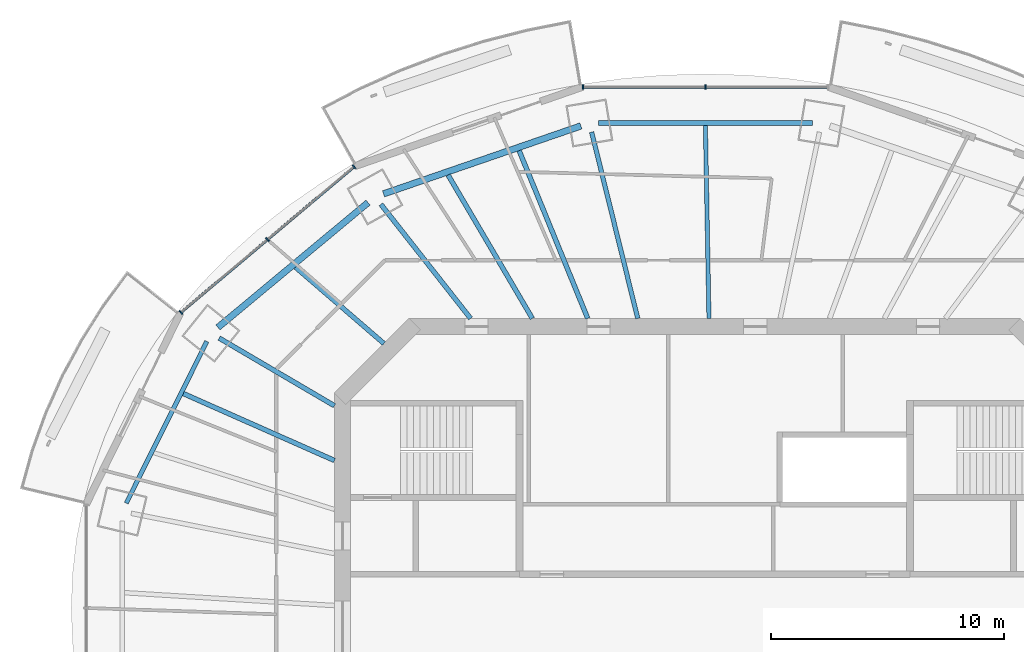
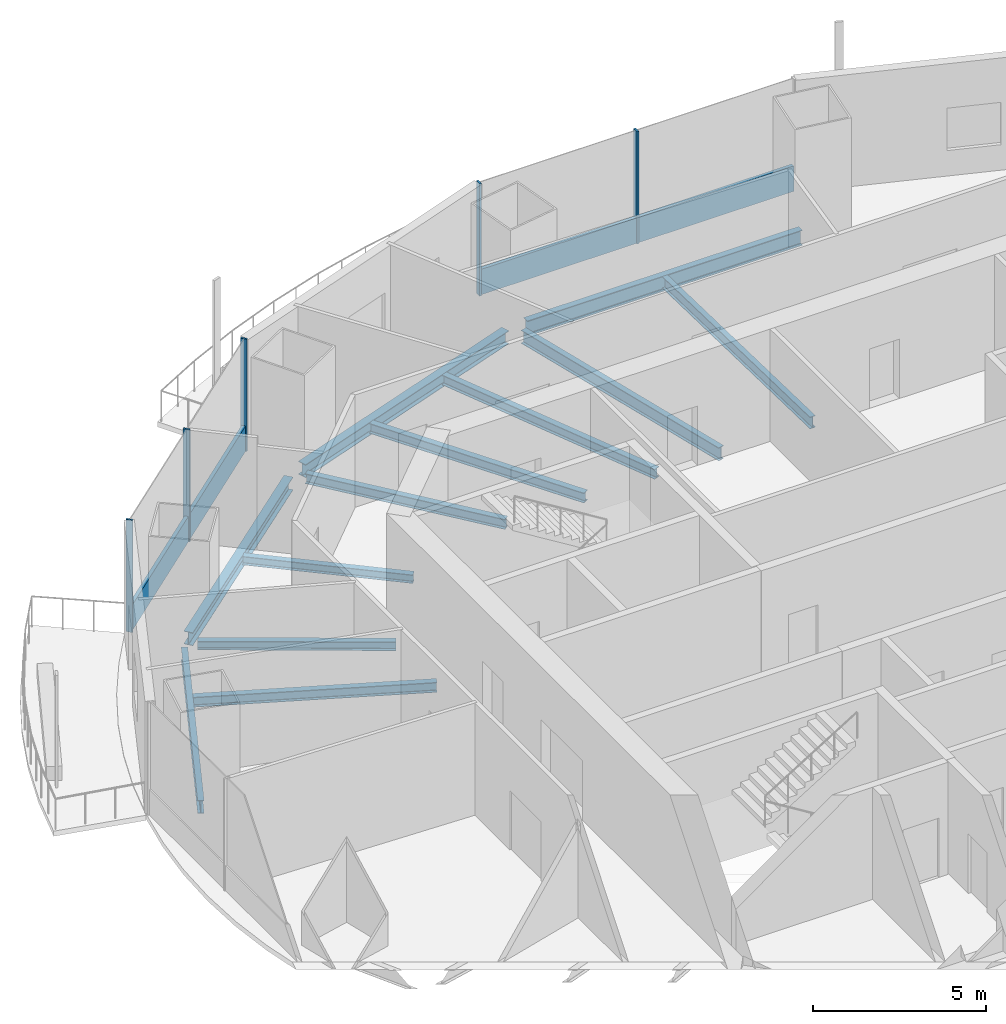
# One storey, part 5 of 16: 12 beams, 7 members, 2 elements without a shape of their own.
"""IFC4 building model written with IfcOpenShell, lengths in metres."""

from ifc_helpers import new_model, si_unit, direction, frame, origin, origin_2d, place, context, subcontext, project, spatial, rectangle, i_section, extrude, material, material_profile, profile_set, type_object, element, aggregate, save


model = new_model("IFC4")

# Units and contexts
model_context = context("Model", 3, precision=1e-05, world=origin(), true_north=direction((0.0, 1.0)))
body_context = subcontext(model_context, "Body", "Model", "MODEL_VIEW")
ifc_project = project(units=[si_unit("LENGTHUNIT", "METRE"), si_unit("AREAUNIT", "SQUARE_METRE"), si_unit("VOLUMEUNIT", "CUBIC_METRE"), si_unit("PLANEANGLEUNIT", "RADIAN"), si_unit("MASSUNIT", "GRAM", prefix="KILO")], contexts=[model_context])

# Site, building, storey
site_placement = place(None, origin())
site = spatial("IfcSite", under=ifc_project, at=site_placement, CompositionType="ELEMENT")
building_placement = place(site_placement, origin())
building = spatial("IfcBuilding", under=site, at=building_placement, Name="Marenthal Gate Tower", CompositionType="ELEMENT")
storey_placement = place(building_placement, frame((0.0, 0.0, 342.60009765625)))
storey = spatial("IfcBuildingStorey", under=building, at=storey_placement, Name="L77", CompositionType="ELEMENT", Elevation=342.60009765625)

# Curtain wall, members
ifc_material_1 = material(Name="Aluminium and glass", Category="aluminium")
curtain_wall_type = type_object("IfcCurtainWallType", Name="Curtain wall typical high", PredefinedType="NOTDEFINED", material=ifc_material_1)
curtain_wall_1_placement = place(storey_placement, origin())
curtain_wall_1 = element("IfcCurtainWall", 1, at=curtain_wall_1_placement, inside=storey, type_object=curtain_wall_type, Name="Curtain wall L77 bay 4", PredefinedType="NOTDEFINED")
ifc_material_2 = material(Name="Aluminium", Category="aluminium")
ifc_material_profile_1 = material_profile(ifc_material_2, rectangle(XDim=0.199951171875, YDim=0.06005859375, at=origin_2d()), Name="60x200 aluminium mullion")
ifc_profile_set_1 = profile_set([ifc_material_profile_1], Name="Aluminium")
member_type_1 = type_object("IfcMemberType", Name="Mullion 60x200 typical high", PredefinedType="MULLION", material=ifc_profile_set_1)
member_1_placement = place(storey_placement, frame((-0.39990234375, 23.302978515625, 0.0), z_axis=(0.0, 0.0, 1.0), x_axis=(0.0, -1.0, 0.0)))
member_1 = element("IfcMember", 2, at=member_1_placement, type_object=member_type_1, Name="Mullion L77 bay 4.2", PredefinedType="MULLION", context=body_context, shape_type="SweptSolid", body=[
    extrude(rectangle(XDim=0.199951171875, YDim=0.06005859375, at=origin_2d()), origin(), (0.0, 0.0, 1.0), 3.969970703125),
])
member_2_placement = place(storey_placement, frame((-5.66650390625, 23.302978515625, 0.0), z_axis=(0.0, 0.0, 1.0), x_axis=(0.0, -1.0, 0.0)))
member_2 = element("IfcMember", 3, at=member_2_placement, type_object=member_type_1, Name="Mullion L77 bay 4.3", PredefinedType="MULLION", context=body_context, shape_type="SweptSolid", body=[
    extrude(rectangle(XDim=0.199951171875, YDim=0.06005859375, at=origin_2d()), origin(), (0.0, 0.0, 1.0), 3.969970703125),
])

curtain_wall_2_placement = place(storey_placement, origin())
curtain_wall_2 = element("IfcCurtainWall", 4, at=curtain_wall_2_placement, inside=storey, type_object=curtain_wall_type, Name="Curtain wall L77 bay 6", PredefinedType="NOTDEFINED")
member_3_placement = place(storey_placement, frame((-15.506103515625, 19.873046875, 0.0), z_axis=(0.0, 0.0, 1.0), x_axis=(0.643800653639, -0.765193255572, 0.0)))
member_3 = element("IfcMember", 5, at=member_3_placement, type_object=member_type_1, Name="Mullion L77 bay 6.1", PredefinedType="MULLION", context=body_context, shape_type="SweptSolid", body=[
    extrude(rectangle(XDim=0.199951171875, YDim=0.06005859375, at=origin_2d()), origin(), (0.0, 0.0, 1.0), 3.969970703125),
])
member_4_placement = place(storey_placement, frame((-19.228271484375, 16.741455078125, 0.0), z_axis=(0.0, 0.0, 1.0), x_axis=(0.643800653639, -0.765193255572, 0.0)))
member_4 = element("IfcMember", 6, at=member_4_placement, type_object=member_type_1, Name="Mullion L77 bay 6.2", PredefinedType="MULLION", context=body_context, shape_type="SweptSolid", body=[
    extrude(rectangle(XDim=0.199951171875, YDim=0.06005859375, at=origin_2d()), origin(), (0.0, 0.0, 1.0), 3.969970703125),
])
member_5_placement = place(storey_placement, frame((-22.95068359375, 13.609619140625, 0.0), z_axis=(0.0, 0.0, 1.0), x_axis=(0.643800653639, -0.765193255572, 0.0)))
member_5 = element("IfcMember", 7, at=member_5_placement, type_object=member_type_1, Name="Mullion L77 bay 6.3", PredefinedType="MULLION", context=body_context, shape_type="SweptSolid", body=[
    extrude(rectangle(XDim=0.199951171875, YDim=0.06005859375, at=origin_2d()), origin(), (0.0, 0.0, 1.0), 3.969970703125),
])

# Member
ifc_material_3 = material(Name="Aluminium", Category="aluminium")
ifc_material_profile_2 = material_profile(ifc_material_3, rectangle(XDim=0.1201171875, YDim=0.89990234375, at=origin_2d()), Name="120x900 aluminium transom")
ifc_profile_set_2 = profile_set([ifc_material_profile_2], Name="Aluminium")
member_type_2 = type_object("IfcMemberType", Name="Transom 120x900 typical high", PredefinedType="USERDEFINED", material=ifc_profile_set_2)
member_6_placement = place(storey_placement, frame((4.83642578125, 23.302978515625, 0.449951171875), z_axis=(-1.0, 0.0, 0.0), x_axis=(0.0, -1.0, 0.0)))
member_6 = element("IfcMember", 8, at=member_6_placement, type_object=member_type_2, Name="Transom L77 bay 4", ObjectType="TRANSOM", PredefinedType="USERDEFINED", context=body_context, shape_type="SweptSolid", body=[
    extrude(rectangle(XDim=0.1201171875, YDim=0.89990234375, at=origin_2d()), origin(), (0.0, 0.0, 1.0), 10.472900390625),
])

aggregate(curtain_wall_1, [member_1, member_2, member_6])

member_7_placement = place(storey_placement, frame((-15.529052734375, 19.853759765625, 0.449951171875), z_axis=(-0.765197260539, -0.643795893482, 0.0), x_axis=(0.643795893482, -0.765197260539, 0.0)))
member_7 = element("IfcMember", 9, at=member_7_placement, type_object=member_type_2, Name="Transom L77 bay 6", ObjectType="TRANSOM", PredefinedType="USERDEFINED", context=body_context, shape_type="SweptSolid", body=[
    extrude(rectangle(XDim=0.1201171875, YDim=0.89990234375, at=origin_2d()), origin(), (0.0, 0.0, 1.0), 9.6689453125),
])

aggregate(curtain_wall_2, [member_3, member_4, member_5, member_7])

# Beams
ifc_material_4 = material(Name="Steel S355", Category="steel")
ifc_material_profile_3 = material_profile(ifc_material_4, i_section(OverallWidth=0.202880859375, OverallDepth=0.302001953125, WebThickness=0.007568359375, FlangeThickness=0.01318359375, FilletRadius=0.0126953125, at=origin_2d()), Name="W310X60")
ifc_profile_set_3 = profile_set([ifc_material_profile_3], Name="Steel S355")
beam_type_1 = type_object("IfcBeamType", Name="W310X60 beam", PredefinedType="BEAM", material=ifc_profile_set_3)
beam_1_placement = place(storey_placement, frame((-18.025390625, 15.55322265625, -0.3310546875), z_axis=(0.757114770314, -0.653281887528, 0.0), x_axis=(0.653281887528, 0.757114770314, 0.0)))
element("IfcBeam", 10, at=beam_1_placement, inside=storey, type_object=beam_type_1, Name="BM-L77-25", PredefinedType="BEAM", context=body_context, shape_type="SweptSolid", body=[
    extrude(i_section(OverallWidth=0.202880859375, OverallDepth=0.302001953125, WebThickness=0.007568359375, FlangeThickness=0.01318359375, FilletRadius=0.0126953125, at=origin_2d()), origin(), (0.0, 0.0, 1.0), 5.0224609375),
])
ifc_material_5 = material(Name="Steel S355", Category="steel")
ifc_material_profile_4 = material_profile(ifc_material_5, i_section(OverallWidth=0.205078125, OverallDepth=0.31005859375, WebThickness=0.009521484375, FlangeThickness=0.016357421875, FilletRadius=0.0126953125, at=origin_2d()), Name="W310X74")
ifc_profile_set_4 = profile_set([ifc_material_profile_4], Name="Steel S355")
beam_type_2 = type_object("IfcBeamType", Name="W310X74 beam", PredefinedType="BEAM", material=ifc_profile_set_4)
beam_2_placement = place(storey_placement, frame((-21.306396484375, 12.505126953125, -0.335205078125), z_axis=(0.862430700738, -0.506175153899, 0.0), x_axis=(0.506175153899, 0.862430700738, 0.0)))
element("IfcBeam", 11, at=beam_2_placement, inside=storey, type_object=beam_type_2, Name="BM-L77-07", PredefinedType="BEAM", context=body_context, shape_type="SweptSolid", body=[
    extrude(i_section(OverallWidth=0.205078125, OverallDepth=0.31005859375, WebThickness=0.009521484375, FlangeThickness=0.016357421875, FilletRadius=0.0126953125, at=origin_2d()), origin(), (0.0, 0.0, 1.0), 5.746826171875),
])
ifc_material_6 = material(Name="Steel S355", Category="steel")
ifc_material_profile_5 = material_profile(ifc_material_6, i_section(OverallWidth=0.205078125, OverallDepth=0.35302734375, WebThickness=0.009521484375, FlangeThickness=0.016845703125, FilletRadius=0.014892578125, at=origin_2d()), Name="W360X79")
ifc_profile_set_5 = profile_set([ifc_material_profile_5], Name="Steel S355")
beam_type_3 = type_object("IfcBeamType", Name="W360X79 beam", PredefinedType="BEAM", material=ifc_profile_set_5)
beam_3_placement = place(storey_placement, frame((-14.35107421875, 18.255126953125, -0.356689453125), z_axis=(0.618044451996, -0.78614315195, 0.0), x_axis=(0.78614315195, 0.618044451996, 0.0)))
element("IfcBeam", 12, at=beam_3_placement, inside=storey, type_object=beam_type_3, Name="BM-L77-06", PredefinedType="BEAM", context=body_context, shape_type="SweptSolid", body=[
    extrude(i_section(OverallWidth=0.205078125, OverallDepth=0.35302734375, WebThickness=0.009521484375, FlangeThickness=0.016845703125, FilletRadius=0.014892578125, at=origin_2d()), origin(), (0.0, 0.0, 1.0), 6.2392578125),
])
beam_4_placement = place(storey_placement, frame((-8.40771484375, 20.56591796875, -0.356689453125), z_axis=(0.378415770865, -0.925635729842, 0.0), x_axis=(0.925635729842, 0.378415770865, 0.0)))
element("IfcBeam", 13, at=beam_4_placement, inside=storey, type_object=beam_type_3, Name="BM-L77-23", PredefinedType="BEAM", context=body_context, shape_type="SweptSolid", body=[
    extrude(i_section(OverallWidth=0.205078125, OverallDepth=0.35302734375, WebThickness=0.009521484375, FlangeThickness=0.016845703125, FilletRadius=0.014892578125, at=origin_2d()), origin(), (0.0, 0.0, 1.0), 7.79541015625),
])
beam_5_placement = place(storey_placement, frame((-11.4609375, 19.514404296875, -0.356689453125), z_axis=(0.506427497375, -0.862282546444, 0.0), x_axis=(0.862282546444, 0.506427497375, 0.0)))
element("IfcBeam", 14, at=beam_5_placement, inside=storey, type_object=beam_type_3, Name="BM-L77-24", PredefinedType="BEAM", context=body_context, shape_type="SweptSolid", body=[
    extrude(i_section(OverallWidth=0.205078125, OverallDepth=0.35302734375, WebThickness=0.009521484375, FlangeThickness=0.016845703125, FilletRadius=0.014892578125, at=origin_2d()), origin(), (0.0, 0.0, 1.0), 7.14892578125),
])
beam_6_placement = place(storey_placement, frame((-22.844970703125, 10.118896484375, -0.356689453125), z_axis=(0.914328119374, -0.404974184513, 0.0), x_axis=(0.404974184513, 0.914328119374, 0.0)))
element("IfcBeam", 15, at=beam_6_placement, inside=storey, type_object=beam_type_3, Name="BM-L77-26", PredefinedType="BEAM", context=body_context, shape_type="SweptSolid", body=[
    extrude(i_section(OverallWidth=0.205078125, OverallDepth=0.35302734375, WebThickness=0.009521484375, FlangeThickness=0.016845703125, FilletRadius=0.014892578125, at=origin_2d()), origin(), (0.0, 0.0, 1.0), 7.103515625),
])
ifc_material_7 = material(Name="Steel S355", Category="steel")
ifc_material_profile_6 = material_profile(ifc_material_7, i_section(OverallWidth=0.180908203125, OverallDepth=0.4169921875, WebThickness=0.010986328125, FlangeThickness=0.018310546875, FilletRadius=0.01025390625, at=origin_2d()), Name="W410X85")
ifc_profile_set_6 = profile_set([ifc_material_profile_6], Name="Steel S355")
beam_type_4 = type_object("IfcBeamType", Name="W410X85 beam", PredefinedType="BEAM", material=ifc_profile_set_6)
beam_7_placement = place(storey_placement, frame((-0.398193359375, 21.6474609375, -0.388671875), z_axis=(0.018386816413, -0.999830948202, 0.0), x_axis=(0.999830948202, 0.018386816413, 0.0)))
element("IfcBeam", 16, at=beam_7_placement, inside=storey, type_object=beam_type_4, Name="BM-L77-22", PredefinedType="BEAM", context=body_context, shape_type="SweptSolid", body=[
    extrude(i_section(OverallWidth=0.180908203125, OverallDepth=0.4169921875, WebThickness=0.010986328125, FlangeThickness=0.018310546875, FilletRadius=0.01025390625, at=origin_2d()), origin(), (0.0, 0.0, 1.0), 8.298828125),
])
ifc_material_8 = material(Name="Steel S355", Category="steel")
ifc_material_profile_7 = material_profile(ifc_material_8, i_section(OverallWidth=0.279052734375, OverallDepth=0.4619140625, WebThickness=0.0107421875, FlangeThickness=0.017333984375, FilletRadius=0.010009765625, at=origin_2d()), Name="W460X113")
ifc_profile_set_7 = profile_set([ifc_material_profile_7], Name="Steel S355")
beam_type_5 = type_object("IfcBeamType", Name="W460X113 beam", PredefinedType="BEAM", material=ifc_profile_set_7)
beam_8_placement = place(storey_placement, frame((-5.754638671875, 21.627197265625, -0.4111328125), z_axis=(-0.945488011272, -0.325656906176, 0.0), x_axis=(0.325656906176, -0.945488011272, 0.0)))
element("IfcBeam", 17, at=beam_8_placement, inside=storey, type_object=beam_type_5, Name="BM-L77-45", PredefinedType="BEAM", context=body_context, shape_type="SweptSolid", body=[
    extrude(i_section(OverallWidth=0.279052734375, OverallDepth=0.4619140625, WebThickness=0.0107421875, FlangeThickness=0.017333984375, FilletRadius=0.010009765625, at=origin_2d()), origin(), (0.0, 0.0, 1.0), 8.97216796875),
])
beam_9_placement = place(storey_placement, frame((-14.905517578125, 18.3291015625, -0.4111328125), z_axis=(-0.768883818617, -0.639388515277, 0.0), x_axis=(0.639388515277, -0.768883818617, 0.0)))
element("IfcBeam", 18, at=beam_9_placement, inside=storey, type_object=beam_type_5, Name="BM-L77-46", PredefinedType="BEAM", context=body_context, shape_type="SweptSolid", body=[
    extrude(i_section(OverallWidth=0.279052734375, OverallDepth=0.4619140625, WebThickness=0.0107421875, FlangeThickness=0.017333984375, FilletRadius=0.010009765625, at=origin_2d()), origin(), (0.0, 0.0, 1.0), 8.3916015625),
])
ifc_material_9 = material(Name="Steel S355", Category="steel")
ifc_material_profile_8 = material_profile(ifc_material_9, i_section(OverallWidth=0.19091796875, OverallDepth=0.45703125, WebThickness=0.009033203125, FlangeThickness=0.014404296875, FilletRadius=0.01025390625, at=origin_2d()), Name="W460X74")
ifc_profile_set_8 = profile_set([ifc_material_profile_8], Name="Steel S355")
beam_type_6 = type_object("IfcBeamType", Name="W460X74 beam", PredefinedType="BEAM", material=ifc_profile_set_8)
beam_10_placement = place(storey_placement, frame((-21.836181640625, 12.3583984375, -0.40869140625), z_axis=(-0.445880705054, -0.895092395712, 0.0), x_axis=(0.895092395712, -0.445880705054, 0.0)))
element("IfcBeam", 19, at=beam_10_placement, inside=storey, type_object=beam_type_6, Name="BM-L77-47", PredefinedType="BEAM", context=body_context, shape_type="SweptSolid", body=[
    extrude(i_section(OverallWidth=0.19091796875, OverallDepth=0.45703125, WebThickness=0.009033203125, FlangeThickness=0.014404296875, FilletRadius=0.01025390625, at=origin_2d()), origin(), (0.0, 0.0, 1.0), 7.76904296875),
])
ifc_material_10 = material(Name="Steel S355", Category="steel")
ifc_material_profile_9 = material_profile(ifc_material_10, i_section(OverallWidth=0.193115234375, OverallDepth=0.467041015625, WebThickness=0.011474609375, FlangeThickness=0.01904296875, FilletRadius=0.010009765625, at=origin_2d()), Name="W460X97")
ifc_profile_set_9 = profile_set([ifc_material_profile_9], Name="Steel S355")
beam_type_7 = type_object("IfcBeamType", Name="W460X97 beam", PredefinedType="BEAM", material=ifc_profile_set_9)
beam_11_placement = place(storey_placement, frame((-5.29150390625, 21.362548828125, -0.41357421875), z_axis=(0.240426429906, -0.970667364138, 0.0), x_axis=(0.970667364138, 0.240426429906, 0.0)))
element("IfcBeam", 20, at=beam_11_placement, inside=storey, type_object=beam_type_7, Name="BM-L77-05", PredefinedType="BEAM", context=body_context, shape_type="SweptSolid", body=[
    extrude(i_section(OverallWidth=0.193115234375, OverallDepth=0.467041015625, WebThickness=0.011474609375, FlangeThickness=0.01904296875, FilletRadius=0.010009765625, at=origin_2d()), origin(), (0.0, 0.0, 1.0), 8.254638671875),
])
ifc_material_11 = material(Name="Steel S355", Category="steel")
ifc_material_profile_10 = material_profile(ifc_material_11, i_section(OverallWidth=0.2119140625, OverallDepth=0.5439453125, WebThickness=0.01318359375, FlangeThickness=0.021240234375, FilletRadius=0.0126953125, at=origin_2d()), Name="W530X123")
ifc_profile_set_10 = profile_set([ifc_material_profile_10], Name="Steel S355")
beam_type_8 = type_object("IfcBeamType", Name="W530X123 beam", PredefinedType="BEAM", material=ifc_profile_set_10)
beam_12_placement = place(storey_placement, frame((4.201416015625, 21.75341796875, -0.4521484375), z_axis=(-1.0, 0.0, 0.0), x_axis=(0.0, -1.0, 0.0)))
element("IfcBeam", 21, at=beam_12_placement, inside=storey, type_object=beam_type_8, Name="BM-L77-44", PredefinedType="BEAM", context=body_context, shape_type="SweptSolid", body=[
    extrude(i_section(OverallWidth=0.2119140625, OverallDepth=0.5439453125, WebThickness=0.01318359375, FlangeThickness=0.021240234375, FilletRadius=0.0126953125, at=origin_2d()), origin(), (0.0, 0.0, 1.0), 9.202880859375),
])

save(model, "model.ifc")
